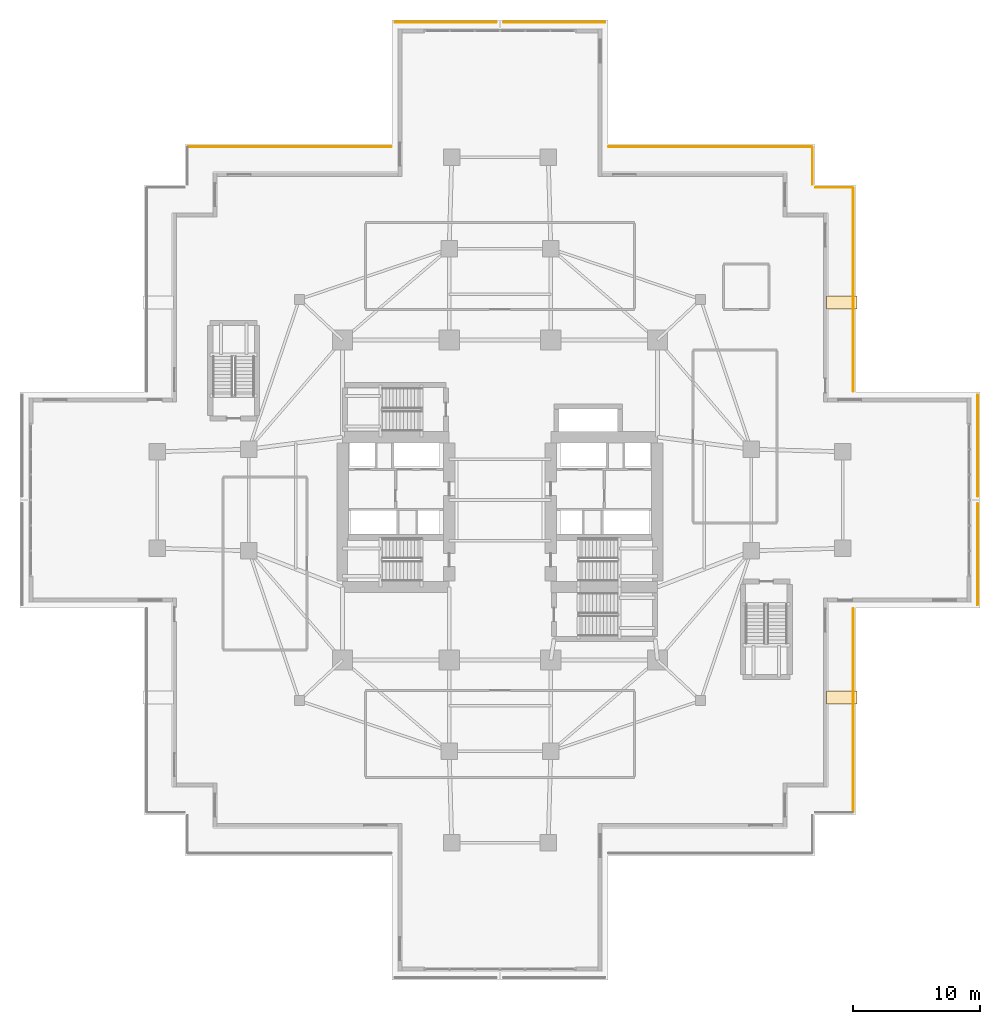
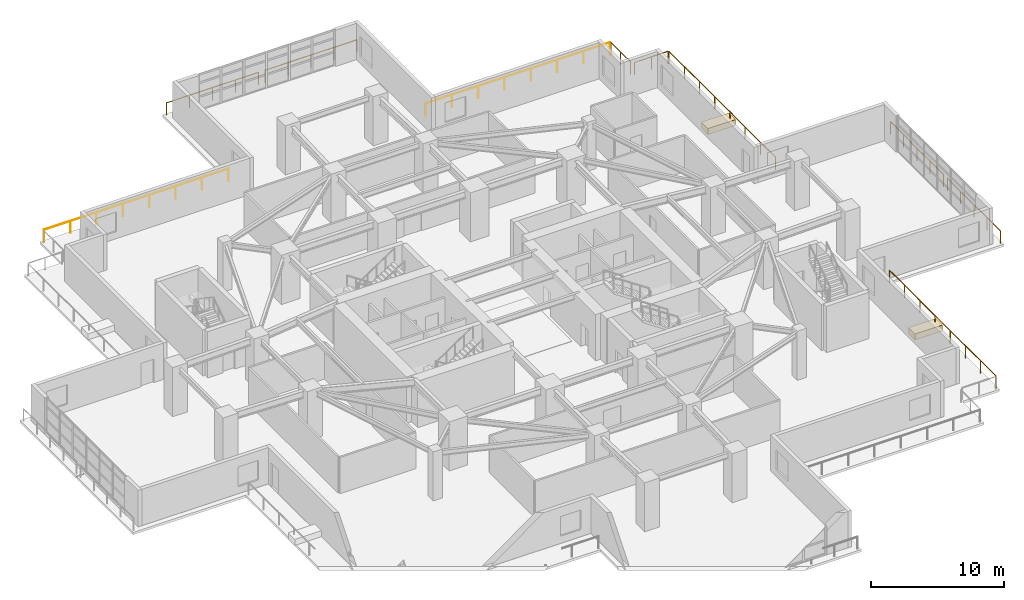
# One storey, part 24 of 24: 10 railings, 2 coverings.
"""IFC4 building model written with IfcOpenShell, lengths in metres."""

from ifc_helpers import new_model, si_unit, direction, frame, origin, origin_2d, place, context, subcontext, project, spatial, rectangle, circle, extrude, material, layer, layer_set, type_object, element, save


model = new_model("IFC4")

# Units and contexts
model_context = context("Model", 3, precision=1e-05, world=origin(), true_north=direction((0.0, 1.0)))
body_context = subcontext(model_context, "Body", "Model", "MODEL_VIEW")
ifc_project = project(units=[si_unit("LENGTHUNIT", "METRE"), si_unit("AREAUNIT", "SQUARE_METRE"), si_unit("VOLUMEUNIT", "CUBIC_METRE"), si_unit("PLANEANGLEUNIT", "RADIAN"), si_unit("MASSUNIT", "GRAM", prefix="KILO")], contexts=[model_context])

# Site, building, storey
site_placement = place(None, origin())
site = spatial("IfcSite", under=ifc_project, at=site_placement, CompositionType="ELEMENT")
building_placement = place(site_placement, origin())
building = spatial("IfcBuilding", under=site, at=building_placement, Name="Qingluan Cross Belvedere", CompositionType="ELEMENT")
storey_placement = place(building_placement, frame((0.0, 0.0, 14.699951171875)))
storey = spatial("IfcBuildingStorey", under=building, at=storey_placement, Name="L04", CompositionType="ELEMENT", Elevation=14.699951171875)

# Railings
ifc_material_1 = material(Name="Laminated glass and stainless steel balustrade", Category="steel")
railing_type = type_object("IfcRailingType", Name="TerraceGuardBalustrade_1150", PredefinedType="BALUSTRADE", material=ifc_material_1)
railing_1_placement = place(storey_placement, frame((0.2900390625, 37.6201171875, 0.0)))
element("IfcRailing", 1, at=railing_1_placement, inside=storey, type_object=railing_type, Name="Terrace guard L04-1", PredefinedType="BALUSTRADE", context=body_context, shape_type="SweptSolid", body=[
    extrude(circle(Radius=0.02392578125, at=origin_2d()), frame((0.0, 0.0, 1.1259765625), z_axis=(1.0, 0.0, 0.0), x_axis=(0.0, 1.0, 0.0)), (0.0, 0.0, 1.0), 7.969970703125),
    extrude(circle(Radius=0.02099609375, at=origin_2d()), origin(), (0.0, 0.0, 1.0), 1.101806640625),
    extrude(circle(Radius=0.02099609375, at=origin_2d()), frame((1.992431640625, 0.0, 0.0)), (0.0, 0.0, 1.0), 1.101806640625),
    extrude(circle(Radius=0.02099609375, at=origin_2d()), frame((3.98486328125, 0.0, 0.0)), (0.0, 0.0, 1.0), 1.101806640625),
    extrude(circle(Radius=0.02099609375, at=origin_2d()), frame((5.9775390625, 0.0, 0.0)), (0.0, 0.0, 1.0), 1.101806640625),
    extrude(circle(Radius=0.02099609375, at=origin_2d()), frame((7.969970703125, 0.0, 0.0)), (0.0, 0.0, 1.0), 1.101806640625),
])
railing_2_placement = place(storey_placement, frame((8.56005859375, 27.820068359375, 0.0)))
element("IfcRailing", 2, at=railing_2_placement, inside=storey, type_object=railing_type, Name="Terrace guard L04-2", PredefinedType="BALUSTRADE", context=body_context, shape_type="SweptSolid", body=[
    extrude(circle(Radius=0.02392578125, at=origin_2d()), frame((0.0, 0.0, 1.1259765625), z_axis=(1.0, 0.0, 0.0), x_axis=(0.0, 1.0, 0.0)), (0.0, 0.0, 1.0), 16.0),
    extrude(circle(Radius=0.02099609375, at=origin_2d()), origin(), (0.0, 0.0, 1.0), 1.101806640625),
    extrude(circle(Radius=0.02099609375, at=origin_2d()), frame((2.28564453125, 0.0, 0.0)), (0.0, 0.0, 1.0), 1.101806640625),
    extrude(circle(Radius=0.02099609375, at=origin_2d()), frame((4.571533203125, 0.0, 0.0)), (0.0, 0.0, 1.0), 1.101806640625),
    extrude(circle(Radius=0.02099609375, at=origin_2d()), frame((6.857177734375, 0.0, 0.0)), (0.0, 0.0, 1.0), 1.101806640625),
    extrude(circle(Radius=0.02099609375, at=origin_2d()), frame((9.142822265625, 0.0, 0.0)), (0.0, 0.0, 1.0), 1.101806640625),
    extrude(circle(Radius=0.02099609375, at=origin_2d()), frame((11.428466796875, 0.0, 0.0)), (0.0, 0.0, 1.0), 1.101806640625),
    extrude(circle(Radius=0.02099609375, at=origin_2d()), frame((13.71435546875, 0.0, 0.0)), (0.0, 0.0, 1.0), 1.101806640625),
    extrude(circle(Radius=0.02099609375, at=origin_2d()), frame((16.0, 0.0, 0.0)), (0.0, 0.0, 1.0), 1.101806640625),
])
railing_3_placement = place(storey_placement, frame((24.6201171875, 27.760009765625, 0.0)))
element("IfcRailing", 3, at=railing_3_placement, inside=storey, type_object=railing_type, Name="Terrace guard L04-3", PredefinedType="BALUSTRADE", context=body_context, shape_type="SweptSolid", body=[
    extrude(circle(Radius=0.02392578125, at=origin_2d()), frame((0.0, 0.0, 1.1259765625), z_axis=(0.0, -1.0, 0.0), x_axis=(1.0, 0.0, 0.0)), (0.0, 0.0, 1.0), 2.89990234375),
    extrude(circle(Radius=0.02099609375, at=origin_2d()), origin(), (0.0, 0.0, 1.0), 1.101806640625),
    extrude(circle(Radius=0.02099609375, at=origin_2d()), frame((0.0, -1.449951171875, 0.0)), (0.0, 0.0, 1.0), 1.101806640625),
    extrude(circle(Radius=0.02099609375, at=origin_2d()), frame((0.0, -2.89990234375, 0.0)), (0.0, 0.0, 1.0), 1.101806640625),
])
railing_4_placement = place(storey_placement, frame((24.860107421875, 24.6201171875, 0.0)))
element("IfcRailing", 4, at=railing_4_placement, inside=storey, type_object=railing_type, Name="Terrace guard L04-4", PredefinedType="BALUSTRADE", context=body_context, shape_type="SweptSolid", body=[
    extrude(circle(Radius=0.02392578125, at=origin_2d()), frame((0.0, 0.0, 1.1259765625), z_axis=(1.0, 0.0, 0.0), x_axis=(0.0, 1.0, 0.0)), (0.0, 0.0, 1.0), 2.89990234375),
    extrude(circle(Radius=0.02099609375, at=origin_2d()), origin(), (0.0, 0.0, 1.0), 1.101806640625),
    extrude(circle(Radius=0.02099609375, at=origin_2d()), frame((1.449951171875, 0.0, 0.0)), (0.0, 0.0, 1.0), 1.101806640625),
    extrude(circle(Radius=0.02099609375, at=origin_2d()), frame((2.89990234375, 0.0, 0.0)), (0.0, 0.0, 1.0), 1.101806640625),
])
railing_5_placement = place(storey_placement, frame((27.820068359375, 24.56005859375, 0.0)))
element("IfcRailing", 5, at=railing_5_placement, inside=storey, type_object=railing_type, Name="Terrace guard L04-5", PredefinedType="BALUSTRADE", context=body_context, shape_type="SweptSolid", body=[
    extrude(circle(Radius=0.02392578125, at=origin_2d()), frame((0.0, 0.0, 1.1259765625), z_axis=(0.0, -1.0, 0.0), x_axis=(1.0, 0.0, 0.0)), (0.0, 0.0, 1.0), 16.0),
    extrude(circle(Radius=0.02099609375, at=origin_2d()), origin(), (0.0, 0.0, 1.0), 1.101806640625),
    extrude(circle(Radius=0.02099609375, at=origin_2d()), frame((0.0, -2.28564453125, 0.0)), (0.0, 0.0, 1.0), 1.101806640625),
    extrude(circle(Radius=0.02099609375, at=origin_2d()), frame((0.0, -4.571533203125, 0.0)), (0.0, 0.0, 1.0), 1.101806640625),
    extrude(circle(Radius=0.02099609375, at=origin_2d()), frame((0.0, -6.857177734375, 0.0)), (0.0, 0.0, 1.0), 1.101806640625),
    extrude(circle(Radius=0.02099609375, at=origin_2d()), frame((0.0, -9.142822265625, 0.0)), (0.0, 0.0, 1.0), 1.101806640625),
    extrude(circle(Radius=0.02099609375, at=origin_2d()), frame((0.0, -11.428466796875, 0.0)), (0.0, 0.0, 1.0), 1.101806640625),
    extrude(circle(Radius=0.02099609375, at=origin_2d()), frame((0.0, -13.71435546875, 0.0)), (0.0, 0.0, 1.0), 1.101806640625),
    extrude(circle(Radius=0.02099609375, at=origin_2d()), frame((0.0, -16.0, 0.0)), (0.0, 0.0, 1.0), 1.101806640625),
])
railing_6_placement = place(storey_placement, frame((37.6201171875, 8.260009765625, 0.0)))
element("IfcRailing", 6, at=railing_6_placement, inside=storey, type_object=railing_type, Name="Terrace guard L04-6", PredefinedType="BALUSTRADE", context=body_context, shape_type="SweptSolid", body=[
    extrude(circle(Radius=0.02392578125, at=origin_2d()), frame((0.0, 0.0, 1.1259765625), z_axis=(0.0, -1.0, 0.0), x_axis=(1.0, 0.0, 0.0)), (0.0, 0.0, 1.0), 7.969970703125),
    extrude(circle(Radius=0.02099609375, at=origin_2d()), origin(), (0.0, 0.0, 1.0), 1.101806640625),
    extrude(circle(Radius=0.02099609375, at=origin_2d()), frame((0.0, -1.992431640625, 0.0)), (0.0, 0.0, 1.0), 1.101806640625),
    extrude(circle(Radius=0.02099609375, at=origin_2d()), frame((0.0, -3.98486328125, 0.0)), (0.0, 0.0, 1.0), 1.101806640625),
    extrude(circle(Radius=0.02099609375, at=origin_2d()), frame((0.0, -5.9775390625, 0.0)), (0.0, 0.0, 1.0), 1.101806640625),
    extrude(circle(Radius=0.02099609375, at=origin_2d()), frame((0.0, -7.969970703125, 0.0)), (0.0, 0.0, 1.0), 1.101806640625),
])
railing_7_placement = place(storey_placement, frame((-24.56005859375, 27.820068359375, 0.0)))
element("IfcRailing", 7, at=railing_7_placement, inside=storey, type_object=railing_type, Name="Terrace guard L04-5", PredefinedType="BALUSTRADE", context=body_context, shape_type="SweptSolid", body=[
    extrude(circle(Radius=0.02392578125, at=origin_2d()), frame((0.0, 0.0, 1.1259765625), z_axis=(1.0, 0.0, 0.0), x_axis=(0.0, 1.0, 0.0)), (0.0, 0.0, 1.0), 16.0),
    extrude(circle(Radius=0.02099609375, at=origin_2d()), origin(), (0.0, 0.0, 1.0), 1.101806640625),
    extrude(circle(Radius=0.02099609375, at=origin_2d()), frame((2.28564453125, 0.0, 0.0)), (0.0, 0.0, 1.0), 1.101806640625),
    extrude(circle(Radius=0.02099609375, at=origin_2d()), frame((4.571533203125, 0.0, 0.0)), (0.0, 0.0, 1.0), 1.101806640625),
    extrude(circle(Radius=0.02099609375, at=origin_2d()), frame((6.857177734375, 0.0, 0.0)), (0.0, 0.0, 1.0), 1.101806640625),
    extrude(circle(Radius=0.02099609375, at=origin_2d()), frame((9.142822265625, 0.0, 0.0)), (0.0, 0.0, 1.0), 1.101806640625),
    extrude(circle(Radius=0.02099609375, at=origin_2d()), frame((11.428466796875, 0.0, 0.0)), (0.0, 0.0, 1.0), 1.101806640625),
    extrude(circle(Radius=0.02099609375, at=origin_2d()), frame((13.71435546875, 0.0, 0.0)), (0.0, 0.0, 1.0), 1.101806640625),
    extrude(circle(Radius=0.02099609375, at=origin_2d()), frame((16.0, 0.0, 0.0)), (0.0, 0.0, 1.0), 1.101806640625),
])
railing_8_placement = place(storey_placement, frame((-8.260009765625, 37.6201171875, 0.0)))
element("IfcRailing", 8, at=railing_8_placement, inside=storey, type_object=railing_type, Name="Terrace guard L04-6", PredefinedType="BALUSTRADE", context=body_context, shape_type="SweptSolid", body=[
    extrude(circle(Radius=0.02392578125, at=origin_2d()), frame((0.0, 0.0, 1.1259765625), z_axis=(1.0, 0.0, 0.0), x_axis=(0.0, 1.0, 0.0)), (0.0, 0.0, 1.0), 7.969970703125),
    extrude(circle(Radius=0.02099609375, at=origin_2d()), origin(), (0.0, 0.0, 1.0), 1.101806640625),
    extrude(circle(Radius=0.02099609375, at=origin_2d()), frame((1.992431640625, 0.0, 0.0)), (0.0, 0.0, 1.0), 1.101806640625),
    extrude(circle(Radius=0.02099609375, at=origin_2d()), frame((3.98486328125, 0.0, 0.0)), (0.0, 0.0, 1.0), 1.101806640625),
    extrude(circle(Radius=0.02099609375, at=origin_2d()), frame((5.9775390625, 0.0, 0.0)), (0.0, 0.0, 1.0), 1.101806640625),
    extrude(circle(Radius=0.02099609375, at=origin_2d()), frame((7.969970703125, 0.0, 0.0)), (0.0, 0.0, 1.0), 1.101806640625),
])
railing_9_placement = place(storey_placement, frame((37.6201171875, -0.2900390625, 0.0)))
element("IfcRailing", 9, at=railing_9_placement, inside=storey, type_object=railing_type, Name="Terrace guard L04-2", PredefinedType="BALUSTRADE", context=body_context, shape_type="SweptSolid", body=[
    extrude(circle(Radius=0.02392578125, at=origin_2d()), frame((0.0, 0.0, 1.1259765625), z_axis=(0.0, -1.0, 0.0), x_axis=(1.0, 0.0, 0.0)), (0.0, 0.0, 1.0), 7.969970703125),
    extrude(circle(Radius=0.02099609375, at=origin_2d()), origin(), (0.0, 0.0, 1.0), 1.101806640625),
    extrude(circle(Radius=0.02099609375, at=origin_2d()), frame((0.0, -1.992431640625, 0.0)), (0.0, 0.0, 1.0), 1.101806640625),
    extrude(circle(Radius=0.02099609375, at=origin_2d()), frame((0.0, -3.98486328125, 0.0)), (0.0, 0.0, 1.0), 1.101806640625),
    extrude(circle(Radius=0.02099609375, at=origin_2d()), frame((0.0, -5.9775390625, 0.0)), (0.0, 0.0, 1.0), 1.101806640625),
    extrude(circle(Radius=0.02099609375, at=origin_2d()), frame((0.0, -7.969970703125, 0.0)), (0.0, 0.0, 1.0), 1.101806640625),
])
railing_10_placement = place(storey_placement, frame((27.820068359375, -8.56005859375, 0.0)))
element("IfcRailing", 10, at=railing_10_placement, inside=storey, type_object=railing_type, Name="Terrace guard L04-3", PredefinedType="BALUSTRADE", context=body_context, shape_type="SweptSolid", body=[
    extrude(circle(Radius=0.02392578125, at=origin_2d()), frame((0.0, 0.0, 1.1259765625), z_axis=(0.0, -1.0, 0.0), x_axis=(1.0, 0.0, 0.0)), (0.0, 0.0, 1.0), 16.0),
    extrude(circle(Radius=0.02099609375, at=origin_2d()), origin(), (0.0, 0.0, 1.0), 1.101806640625),
    extrude(circle(Radius=0.02099609375, at=origin_2d()), frame((0.0, -2.28564453125, 0.0)), (0.0, 0.0, 1.0), 1.101806640625),
    extrude(circle(Radius=0.02099609375, at=origin_2d()), frame((0.0, -4.571533203125, 0.0)), (0.0, 0.0, 1.0), 1.101806640625),
    extrude(circle(Radius=0.02099609375, at=origin_2d()), frame((0.0, -6.857177734375, 0.0)), (0.0, 0.0, 1.0), 1.101806640625),
    extrude(circle(Radius=0.02099609375, at=origin_2d()), frame((0.0, -9.142822265625, 0.0)), (0.0, 0.0, 1.0), 1.101806640625),
    extrude(circle(Radius=0.02099609375, at=origin_2d()), frame((0.0, -11.428466796875, 0.0)), (0.0, 0.0, 1.0), 1.101806640625),
    extrude(circle(Radius=0.02099609375, at=origin_2d()), frame((0.0, -13.71435546875, 0.0)), (0.0, 0.0, 1.0), 1.101806640625),
    extrude(circle(Radius=0.02099609375, at=origin_2d()), frame((0.0, -16.0, 0.0)), (0.0, 0.0, 1.0), 1.101806640625),
])

# Coverings
ifc_material_2 = material(Name="Precast concrete C40", Category="concrete")
ifc_layer = layer(ifc_material_2, 0.550048828125, Name="TerracePlanterBox")
ifc_layer_set = layer_set([ifc_layer], Name="Precast concrete C40")
covering_type = type_object("IfcCoveringType", Name="TerracePlanterBox", PredefinedType="USERDEFINED", material=ifc_layer_set)
for number, where, z_axis, x_axis, name in (
    (11, (26.909912109375, 15.552001953125, 0.0), (0.0, 0.0, 1.0), (1.0, 0.0, 0.0), "Cascading garden terrace planter L04-1"),
    (12, (26.909912109375, -15.552001953125, 0.0), (0.0, 0.0, 1.0), (1.0, 0.0, 0.0), "Cascading garden terrace planter L04-4"),
):
    element("IfcCovering", number, at=place(storey_placement, frame(where, z_axis=z_axis, x_axis=x_axis)), inside=storey, type_object=covering_type, Name=name, ObjectType="PLANTER", PredefinedType="USERDEFINED", context=body_context, shape_type="SweptSolid", body=[
        extrude(rectangle(XDim=2.39990234375, YDim=1.0, at=origin_2d()), origin(), (0.0, 0.0, 1.0), 0.550048828125),
    ])

save(model, "model.ifc")
